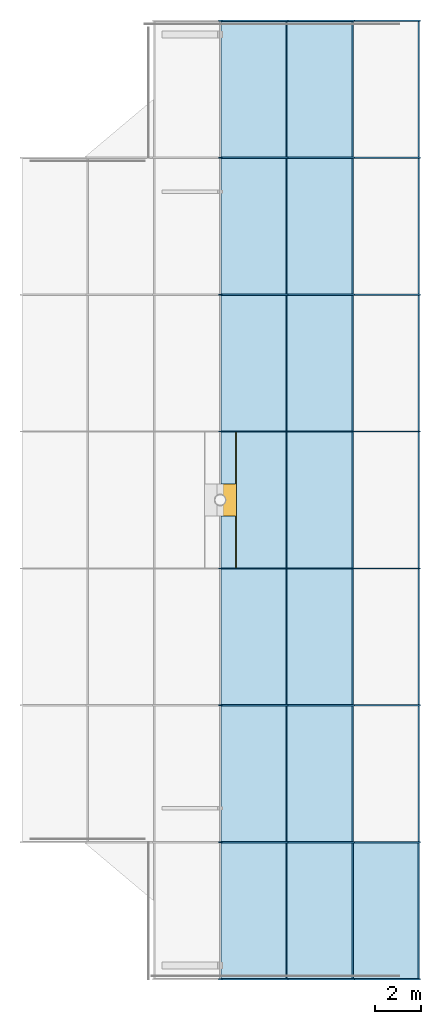
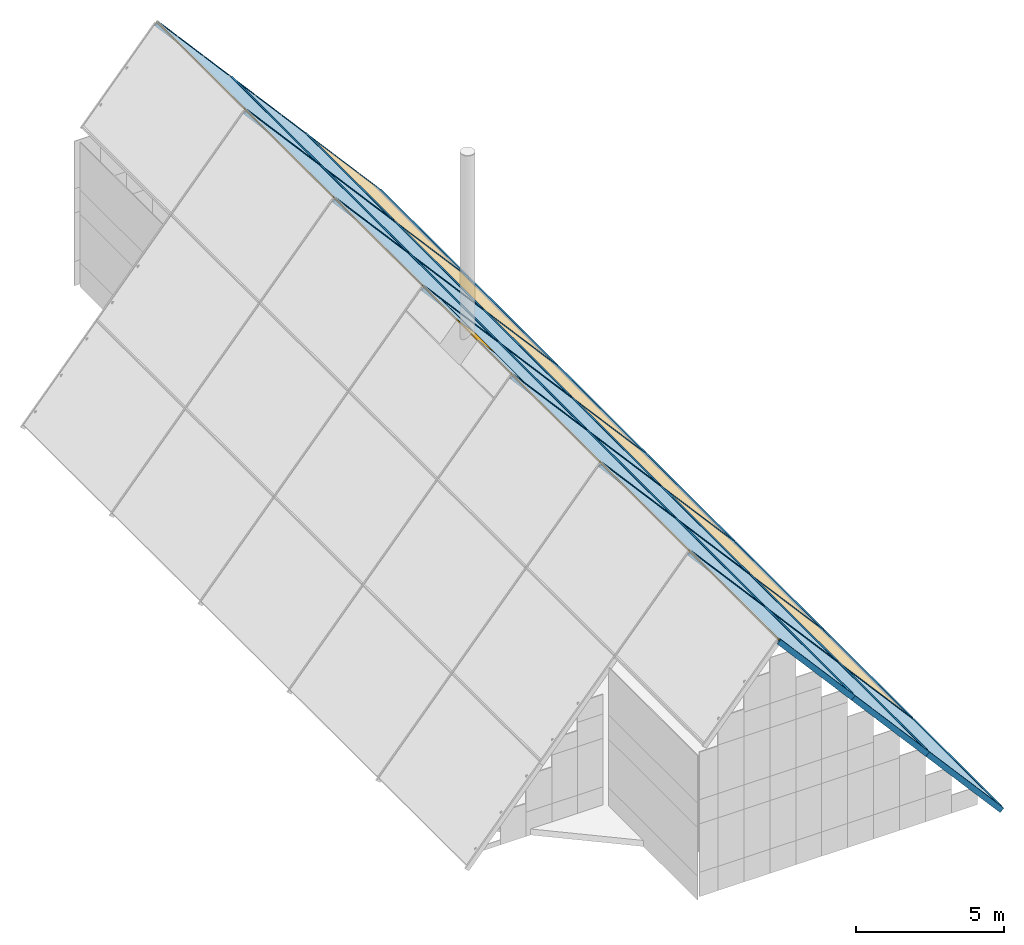
# One storey, part 3 of 5: 45 members, 17 plates, 1 curtain wall.
"""IFC4 building model written with IfcOpenShell, lengths in metres."""

from ifc_helpers import new_model, si_unit, direction, frame, origin, origin_2d, place, context, subcontext, project, spatial, polyline, hollow_rectangle, outline, extrude, source, transform, mapped, material, layer, layer_set, material_profile, profile_set, type_object, element, aggregate, save


model = new_model("IFC4")

# Units and contexts
model_context = context("Model", 3, precision=1e-05, world=origin(), true_north=direction((0.0, 1.0)))
body_context = subcontext(model_context, "Body", "Model", "MODEL_VIEW")
ifc_project = project(units=[si_unit("LENGTHUNIT", "METRE"), si_unit("AREAUNIT", "SQUARE_METRE"), si_unit("VOLUMEUNIT", "CUBIC_METRE"), si_unit("PLANEANGLEUNIT", "RADIAN"), si_unit("MASSUNIT", "GRAM", prefix="KILO")], contexts=[model_context])

# Member
ifc_material_1 = material(Name="Aluminium", Category="aluminium")
ifc_material_profile_1 = material_profile(ifc_material_1, hollow_rectangle(XDim=0.06005859375, YDim=0.1201171875, WallThickness=0.0048828125, at=origin_2d()), Name="Crown roof glazing purlin CR-CW-T")
ifc_profile_set_1 = profile_set([ifc_material_profile_1], Name="Aluminium")
member_type_1 = type_object("IfcMemberType", Name="Crown roof glazing purlin CR-CW-T", PredefinedType="USERDEFINED", material=ifc_profile_set_1)
shared_shape_1 = source(origin(), body_context, "Body", "SweptSolid", [
    extrude(hollow_rectangle(XDim=0.06005859375, YDim=0.1201171875, WallThickness=0.0048828125, at=origin_2d()), origin(), (0.0, 0.0, 1.0), 5.93994140625),
])
site_placement = place(None, origin())
building_placement = place(site_placement, origin())
storey_placement = place(building_placement, frame((0.0, 0.0, 357.199951171875)))
member_1_placement = place(storey_placement, frame((18.199951171875, 6.030029296875, 6.318603515625), z_axis=(0.0, 1.0, 0.0), x_axis=(-1.0, 0.0, 0.0)))
member_1 = element("IfcMember", 1, at=member_1_placement, type_object=member_type_1, Name="Crown glazing purlin", ObjectType="TRANSOM", PredefinedType="USERDEFINED", context=body_context, shape_type="MappedRepresentation", body=[
    mapped(shared_shape_1, transform((0.0, 0.0, 0.0))),
])

member_2_placement = place(storey_placement, frame((18.199951171875, 12.030029296875, 6.318603515625), z_axis=(0.0, 1.0, 0.0), x_axis=(-1.0, 0.0, 0.0)))
member_2 = element("IfcMember", 2, at=member_2_placement, type_object=member_type_1, Name="Crown glazing purlin", ObjectType="TRANSOM", PredefinedType="USERDEFINED", context=body_context, shape_type="MappedRepresentation", body=[
    mapped(shared_shape_1, transform((0.0, 0.0, 0.0))),
])

member_3_placement = place(storey_placement, frame((18.199951171875, 18.030029296875, 6.318603515625), z_axis=(0.0, 1.0, 0.0), x_axis=(-1.0, 0.0, 0.0)))
member_3 = element("IfcMember", 3, at=member_3_placement, type_object=member_type_1, Name="Crown glazing purlin", ObjectType="TRANSOM", PredefinedType="USERDEFINED", context=body_context, shape_type="MappedRepresentation", body=[
    mapped(shared_shape_1, transform((0.0, 0.0, 0.0))),
])

member_4_placement = place(storey_placement, frame((18.199951171875, 24.030029296875, 6.318603515625), z_axis=(0.0, 1.0, 0.0), x_axis=(-1.0, 0.0, 0.0)))
member_4 = element("IfcMember", 4, at=member_4_placement, type_object=member_type_1, Name="Crown glazing purlin", ObjectType="TRANSOM", PredefinedType="USERDEFINED", context=body_context, shape_type="MappedRepresentation", body=[
    mapped(shared_shape_1, transform((0.0, 0.0, 0.0))),
])

member_5_placement = place(storey_placement, frame((18.199951171875, 30.030029296875, 6.318603515625), z_axis=(0.0, 1.0, 0.0), x_axis=(-1.0, 0.0, 0.0)))
member_5 = element("IfcMember", 5, at=member_5_placement, type_object=member_type_1, Name="Crown glazing purlin", ObjectType="TRANSOM", PredefinedType="USERDEFINED", context=body_context, shape_type="MappedRepresentation", body=[
    mapped(shared_shape_1, transform((0.0, 0.0, 0.0))),
])

member_6_placement = place(storey_placement, frame((18.199951171875, 36.030029296875, 6.318603515625), z_axis=(0.0, 1.0, 0.0), x_axis=(-1.0, 0.0, 0.0)))
member_6 = element("IfcMember", 6, at=member_6_placement, type_object=member_type_1, Name="Crown glazing purlin", ObjectType="TRANSOM", PredefinedType="USERDEFINED", context=body_context, shape_type="MappedRepresentation", body=[
    mapped(shared_shape_1, transform((0.0, 0.0, 0.0))),
])

member_7_placement = place(storey_placement, frame((18.199951171875, 42.030029296875, 6.318603515625), z_axis=(0.0, 1.0, 0.0), x_axis=(-1.0, 0.0, 0.0)))
member_7 = element("IfcMember", 7, at=member_7_placement, type_object=member_type_1, Name="Crown glazing purlin", ObjectType="TRANSOM", PredefinedType="USERDEFINED", context=body_context, shape_type="MappedRepresentation", body=[
    mapped(shared_shape_1, transform((0.0, 0.0, 0.0))),
])

member_8_placement = place(storey_placement, frame((21.10009765625, 6.030029296875, 2.985107421875), z_axis=(0.0, 1.0, 0.0), x_axis=(-1.0, 0.0, 0.0)))
member_8 = element("IfcMember", 8, at=member_8_placement, type_object=member_type_1, Name="Crown glazing purlin", ObjectType="TRANSOM", PredefinedType="USERDEFINED", context=body_context, shape_type="MappedRepresentation", body=[
    mapped(shared_shape_1, transform((0.0, 0.0, 0.0))),
])

member_9_placement = place(storey_placement, frame((21.10009765625, 12.030029296875, 2.985107421875), z_axis=(0.0, 1.0, 0.0), x_axis=(-1.0, 0.0, 0.0)))
member_9 = element("IfcMember", 9, at=member_9_placement, type_object=member_type_1, Name="Crown glazing purlin", ObjectType="TRANSOM", PredefinedType="USERDEFINED", context=body_context, shape_type="MappedRepresentation", body=[
    mapped(shared_shape_1, transform((0.0, 0.0, 0.0))),
])

member_10_placement = place(storey_placement, frame((21.10009765625, 18.030029296875, 2.985107421875), z_axis=(0.0, 1.0, 0.0), x_axis=(-1.0, 0.0, 0.0)))
member_10 = element("IfcMember", 10, at=member_10_placement, type_object=member_type_1, Name="Crown glazing purlin", ObjectType="TRANSOM", PredefinedType="USERDEFINED", context=body_context, shape_type="MappedRepresentation", body=[
    mapped(shared_shape_1, transform((0.0, 0.0, 0.0))),
])

member_11_placement = place(storey_placement, frame((21.10009765625, 24.030029296875, 2.985107421875), z_axis=(0.0, 1.0, 0.0), x_axis=(-1.0, 0.0, 0.0)))
member_11 = element("IfcMember", 11, at=member_11_placement, type_object=member_type_1, Name="Crown glazing purlin", ObjectType="TRANSOM", PredefinedType="USERDEFINED", context=body_context, shape_type="MappedRepresentation", body=[
    mapped(shared_shape_1, transform((0.0, 0.0, 0.0))),
])

member_12_placement = place(storey_placement, frame((21.10009765625, 30.030029296875, 2.985107421875), z_axis=(0.0, 1.0, 0.0), x_axis=(-1.0, 0.0, 0.0)))
member_12 = element("IfcMember", 12, at=member_12_placement, type_object=member_type_1, Name="Crown glazing purlin", ObjectType="TRANSOM", PredefinedType="USERDEFINED", context=body_context, shape_type="MappedRepresentation", body=[
    mapped(shared_shape_1, transform((0.0, 0.0, 0.0))),
])

member_13_placement = place(storey_placement, frame((21.10009765625, 36.030029296875, 2.985107421875), z_axis=(0.0, 1.0, 0.0), x_axis=(-1.0, 0.0, 0.0)))
member_13 = element("IfcMember", 13, at=member_13_placement, type_object=member_type_1, Name="Crown glazing purlin", ObjectType="TRANSOM", PredefinedType="USERDEFINED", context=body_context, shape_type="MappedRepresentation", body=[
    mapped(shared_shape_1, transform((0.0, 0.0, 0.0))),
])

member_14_placement = place(storey_placement, frame((21.10009765625, 42.030029296875, 2.985107421875), z_axis=(0.0, 1.0, 0.0), x_axis=(-1.0, 0.0, 0.0)))
member_14 = element("IfcMember", 14, at=member_14_placement, type_object=member_type_1, Name="Crown glazing purlin", ObjectType="TRANSOM", PredefinedType="USERDEFINED", context=body_context, shape_type="MappedRepresentation", body=[
    mapped(shared_shape_1, transform((0.0, 0.0, 0.0))),
])

member_15_placement = place(storey_placement, frame((24.0, 6.030029296875, -0.34814453125), z_axis=(0.0, 1.0, 0.0), x_axis=(-1.0, 0.0, 0.0)))
member_15 = element("IfcMember", 15, at=member_15_placement, type_object=member_type_1, Name="Crown glazing purlin", ObjectType="TRANSOM", PredefinedType="USERDEFINED", context=body_context, shape_type="MappedRepresentation", body=[
    mapped(shared_shape_1, transform((0.0, 0.0, 0.0))),
])

member_16_placement = place(storey_placement, frame((24.0, 12.030029296875, -0.34814453125), z_axis=(0.0, 1.0, 0.0), x_axis=(-1.0, 0.0, 0.0)))
member_16 = element("IfcMember", 16, at=member_16_placement, type_object=member_type_1, Name="Crown glazing purlin", ObjectType="TRANSOM", PredefinedType="USERDEFINED", context=body_context, shape_type="MappedRepresentation", body=[
    mapped(shared_shape_1, transform((0.0, 0.0, 0.0))),
])

member_17_placement = place(storey_placement, frame((24.0, 18.030029296875, -0.34814453125), z_axis=(0.0, 1.0, 0.0), x_axis=(-1.0, 0.0, 0.0)))
member_17 = element("IfcMember", 17, at=member_17_placement, type_object=member_type_1, Name="Crown glazing purlin", ObjectType="TRANSOM", PredefinedType="USERDEFINED", context=body_context, shape_type="MappedRepresentation", body=[
    mapped(shared_shape_1, transform((0.0, 0.0, 0.0))),
])

member_18_placement = place(storey_placement, frame((24.0, 24.030029296875, -0.34814453125), z_axis=(0.0, 1.0, 0.0), x_axis=(-1.0, 0.0, 0.0)))
member_18 = element("IfcMember", 18, at=member_18_placement, type_object=member_type_1, Name="Crown glazing purlin", ObjectType="TRANSOM", PredefinedType="USERDEFINED", context=body_context, shape_type="MappedRepresentation", body=[
    mapped(shared_shape_1, transform((0.0, 0.0, 0.0))),
])

member_19_placement = place(storey_placement, frame((24.0, 30.030029296875, -0.34814453125), z_axis=(0.0, 1.0, 0.0), x_axis=(-1.0, 0.0, 0.0)))
member_19 = element("IfcMember", 19, at=member_19_placement, type_object=member_type_1, Name="Crown glazing purlin", ObjectType="TRANSOM", PredefinedType="USERDEFINED", context=body_context, shape_type="MappedRepresentation", body=[
    mapped(shared_shape_1, transform((0.0, 0.0, 0.0))),
])

member_20_placement = place(storey_placement, frame((24.0, 36.030029296875, -0.34814453125), z_axis=(0.0, 1.0, 0.0), x_axis=(-1.0, 0.0, 0.0)))
member_20 = element("IfcMember", 20, at=member_20_placement, type_object=member_type_1, Name="Crown glazing purlin", ObjectType="TRANSOM", PredefinedType="USERDEFINED", context=body_context, shape_type="MappedRepresentation", body=[
    mapped(shared_shape_1, transform((0.0, 0.0, 0.0))),
])

member_21_placement = place(storey_placement, frame((24.0, 42.030029296875, -0.34814453125), z_axis=(0.0, 1.0, 0.0), x_axis=(-1.0, 0.0, 0.0)))
member_21 = element("IfcMember", 21, at=member_21_placement, type_object=member_type_1, Name="Crown glazing purlin", ObjectType="TRANSOM", PredefinedType="USERDEFINED", context=body_context, shape_type="MappedRepresentation", body=[
    mapped(shared_shape_1, transform((0.0, 0.0, 0.0))),
])

ifc_material_2 = material(Name="Aluminium", Category="aluminium")
ifc_material_profile_2 = material_profile(ifc_material_2, hollow_rectangle(XDim=0.06005859375, YDim=0.199951171875, WallThickness=0.0048828125, at=origin_2d()), Name="Crown roof glazing rafter CR-CW-M")
ifc_profile_set_2 = profile_set([ifc_material_profile_2], Name="Aluminium")
member_type_2 = type_object("IfcMemberType", Name="Crown roof glazing rafter CR-CW-M", PredefinedType="MULLION", material=ifc_profile_set_2)
shared_shape_2 = source(origin(), body_context, "Body", "SweptSolid", [
    extrude(hollow_rectangle(XDim=0.06005859375, YDim=0.199951171875, WallThickness=0.0048828125, at=origin_2d()), origin(), (0.0, 0.0, 1.0), 4.418212890625),
])
member_22_placement = place(storey_placement, frame((15.300048828125, 6.0, 9.5595703125), z_axis=(0.656334655798, 0.0, -0.754469893102), x_axis=(0.0, 1.0, 0.0)))
member_22 = element("IfcMember", 22, at=member_22_placement, type_object=member_type_2, Name="Crown glazing rafter", PredefinedType="MULLION", context=body_context, shape_type="MappedRepresentation", body=[
    mapped(shared_shape_2, transform((0.0, 0.0, 0.0))),
])

member_23_placement = place(storey_placement, frame((15.300048828125, 12.0, 9.5595703125), z_axis=(0.656334655798, 0.0, -0.754469893102), x_axis=(0.0, 1.0, 0.0)))
member_23 = element("IfcMember", 23, at=member_23_placement, type_object=member_type_2, Name="Crown glazing rafter", PredefinedType="MULLION", context=body_context, shape_type="MappedRepresentation", body=[
    mapped(shared_shape_2, transform((0.0, 0.0, 0.0))),
])

member_24_placement = place(storey_placement, frame((15.300048828125, 18.0, 9.5595703125), z_axis=(0.656334655798, 0.0, -0.754469893102), x_axis=(0.0, 1.0, 0.0)))
member_24 = element("IfcMember", 24, at=member_24_placement, type_object=member_type_2, Name="Crown glazing rafter", PredefinedType="MULLION", context=body_context, shape_type="MappedRepresentation", body=[
    mapped(shared_shape_2, transform((0.0, 0.0, 0.0))),
])

member_25_placement = place(storey_placement, frame((15.300048828125, 24.0, 9.5595703125), z_axis=(0.656334655798, 0.0, -0.754469893102), x_axis=(0.0, 1.0, 0.0)))
member_25 = element("IfcMember", 25, at=member_25_placement, type_object=member_type_2, Name="Crown glazing rafter", PredefinedType="MULLION", context=body_context, shape_type="MappedRepresentation", body=[
    mapped(shared_shape_2, transform((0.0, 0.0, 0.0))),
])

member_26_placement = place(storey_placement, frame((15.300048828125, 30.0, 9.5595703125), z_axis=(0.656334655798, 0.0, -0.754469893102), x_axis=(0.0, 1.0, 0.0)))
member_26 = element("IfcMember", 26, at=member_26_placement, type_object=member_type_2, Name="Crown glazing rafter", PredefinedType="MULLION", context=body_context, shape_type="MappedRepresentation", body=[
    mapped(shared_shape_2, transform((0.0, 0.0, 0.0))),
])

member_27_placement = place(storey_placement, frame((15.300048828125, 36.0, 9.5595703125), z_axis=(0.656334655798, 0.0, -0.754469893102), x_axis=(0.0, 1.0, 0.0)))
member_27 = element("IfcMember", 27, at=member_27_placement, type_object=member_type_2, Name="Crown glazing rafter", PredefinedType="MULLION", context=body_context, shape_type="MappedRepresentation", body=[
    mapped(shared_shape_2, transform((0.0, 0.0, 0.0))),
])

member_28_placement = place(storey_placement, frame((15.300048828125, 42.0, 9.5595703125), z_axis=(0.656334655798, 0.0, -0.754469893102), x_axis=(0.0, 1.0, 0.0)))
member_28 = element("IfcMember", 28, at=member_28_placement, type_object=member_type_2, Name="Crown glazing rafter", PredefinedType="MULLION", context=body_context, shape_type="MappedRepresentation", body=[
    mapped(shared_shape_2, transform((0.0, 0.0, 0.0))),
])

member_29_placement = place(storey_placement, frame((15.300048828125, 48.0, 9.5595703125), z_axis=(0.656334655798, 0.0, -0.754469893102), x_axis=(0.0, 1.0, 0.0)))
member_29 = element("IfcMember", 29, at=member_29_placement, type_object=member_type_2, Name="Crown glazing rafter", PredefinedType="MULLION", context=body_context, shape_type="MappedRepresentation", body=[
    mapped(shared_shape_2, transform((0.0, 0.0, 0.0))),
])

member_30_placement = place(storey_placement, frame((18.199951171875, 6.0, 6.22607421875), z_axis=(0.656393469486, 0.0, -0.754418725388), x_axis=(0.0, 1.0, 0.0)))
member_30 = element("IfcMember", 30, at=member_30_placement, type_object=member_type_2, Name="Crown glazing rafter", PredefinedType="MULLION", context=body_context, shape_type="MappedRepresentation", body=[
    mapped(shared_shape_2, transform((0.0, 0.0, 0.0))),
])

member_31_placement = place(storey_placement, frame((18.199951171875, 12.0, 6.22607421875), z_axis=(0.656393469486, 0.0, -0.754418725388), x_axis=(0.0, 1.0, 0.0)))
member_31 = element("IfcMember", 31, at=member_31_placement, type_object=member_type_2, Name="Crown glazing rafter", PredefinedType="MULLION", context=body_context, shape_type="MappedRepresentation", body=[
    mapped(shared_shape_2, transform((0.0, 0.0, 0.0))),
])

member_32_placement = place(storey_placement, frame((18.199951171875, 18.0, 6.22607421875), z_axis=(0.656393469486, 0.0, -0.754418725388), x_axis=(0.0, 1.0, 0.0)))
member_32 = element("IfcMember", 32, at=member_32_placement, type_object=member_type_2, Name="Crown glazing rafter", PredefinedType="MULLION", context=body_context, shape_type="MappedRepresentation", body=[
    mapped(shared_shape_2, transform((0.0, 0.0, 0.0))),
])

member_33_placement = place(storey_placement, frame((18.199951171875, 24.0, 6.22607421875), z_axis=(0.656393469486, 0.0, -0.754418725388), x_axis=(0.0, 1.0, 0.0)))
member_33 = element("IfcMember", 33, at=member_33_placement, type_object=member_type_2, Name="Crown glazing rafter", PredefinedType="MULLION", context=body_context, shape_type="MappedRepresentation", body=[
    mapped(shared_shape_2, transform((0.0, 0.0, 0.0))),
])

member_34_placement = place(storey_placement, frame((18.199951171875, 30.0, 6.22607421875), z_axis=(0.656393469486, 0.0, -0.754418725388), x_axis=(0.0, 1.0, 0.0)))
member_34 = element("IfcMember", 34, at=member_34_placement, type_object=member_type_2, Name="Crown glazing rafter", PredefinedType="MULLION", context=body_context, shape_type="MappedRepresentation", body=[
    mapped(shared_shape_2, transform((0.0, 0.0, 0.0))),
])

member_35_placement = place(storey_placement, frame((18.199951171875, 36.0, 6.22607421875), z_axis=(0.656393469486, 0.0, -0.754418725388), x_axis=(0.0, 1.0, 0.0)))
member_35 = element("IfcMember", 35, at=member_35_placement, type_object=member_type_2, Name="Crown glazing rafter", PredefinedType="MULLION", context=body_context, shape_type="MappedRepresentation", body=[
    mapped(shared_shape_2, transform((0.0, 0.0, 0.0))),
])

member_36_placement = place(storey_placement, frame((18.199951171875, 42.0, 6.22607421875), z_axis=(0.656393469486, 0.0, -0.754418725388), x_axis=(0.0, 1.0, 0.0)))
member_36 = element("IfcMember", 36, at=member_36_placement, type_object=member_type_2, Name="Crown glazing rafter", PredefinedType="MULLION", context=body_context, shape_type="MappedRepresentation", body=[
    mapped(shared_shape_2, transform((0.0, 0.0, 0.0))),
])

member_37_placement = place(storey_placement, frame((18.199951171875, 48.0, 6.22607421875), z_axis=(0.656393469486, 0.0, -0.754418725388), x_axis=(0.0, 1.0, 0.0)))
member_37 = element("IfcMember", 37, at=member_37_placement, type_object=member_type_2, Name="Crown glazing rafter", PredefinedType="MULLION", context=body_context, shape_type="MappedRepresentation", body=[
    mapped(shared_shape_2, transform((0.0, 0.0, 0.0))),
])

member_38_placement = place(storey_placement, frame((21.10009765625, 6.0, 2.892822265625), z_axis=(0.656362018597, 0.0, -0.75444608856), x_axis=(0.0, 1.0, 0.0)))
member_38 = element("IfcMember", 38, at=member_38_placement, type_object=member_type_2, Name="Crown glazing rafter", PredefinedType="MULLION", context=body_context, shape_type="MappedRepresentation", body=[
    mapped(shared_shape_2, transform((0.0, 0.0, 0.0))),
])

member_39_placement = place(storey_placement, frame((21.10009765625, 12.0, 2.892822265625), z_axis=(0.656362018597, 0.0, -0.75444608856), x_axis=(0.0, 1.0, 0.0)))
member_39 = element("IfcMember", 39, at=member_39_placement, type_object=member_type_2, Name="Crown glazing rafter", PredefinedType="MULLION", context=body_context, shape_type="MappedRepresentation", body=[
    mapped(shared_shape_2, transform((0.0, 0.0, 0.0))),
])

member_40_placement = place(storey_placement, frame((21.10009765625, 18.0, 2.892822265625), z_axis=(0.656362018597, 0.0, -0.75444608856), x_axis=(0.0, 1.0, 0.0)))
member_40 = element("IfcMember", 40, at=member_40_placement, type_object=member_type_2, Name="Crown glazing rafter", PredefinedType="MULLION", context=body_context, shape_type="MappedRepresentation", body=[
    mapped(shared_shape_2, transform((0.0, 0.0, 0.0))),
])

member_41_placement = place(storey_placement, frame((21.10009765625, 24.0, 2.892822265625), z_axis=(0.656362018597, 0.0, -0.75444608856), x_axis=(0.0, 1.0, 0.0)))
member_41 = element("IfcMember", 41, at=member_41_placement, type_object=member_type_2, Name="Crown glazing rafter", PredefinedType="MULLION", context=body_context, shape_type="MappedRepresentation", body=[
    mapped(shared_shape_2, transform((0.0, 0.0, 0.0))),
])

member_42_placement = place(storey_placement, frame((21.10009765625, 30.0, 2.892822265625), z_axis=(0.656362018597, 0.0, -0.75444608856), x_axis=(0.0, 1.0, 0.0)))
member_42 = element("IfcMember", 42, at=member_42_placement, type_object=member_type_2, Name="Crown glazing rafter", PredefinedType="MULLION", context=body_context, shape_type="MappedRepresentation", body=[
    mapped(shared_shape_2, transform((0.0, 0.0, 0.0))),
])

member_43_placement = place(storey_placement, frame((21.10009765625, 36.0, 2.892822265625), z_axis=(0.656362018597, 0.0, -0.75444608856), x_axis=(0.0, 1.0, 0.0)))
member_43 = element("IfcMember", 43, at=member_43_placement, type_object=member_type_2, Name="Crown glazing rafter", PredefinedType="MULLION", context=body_context, shape_type="MappedRepresentation", body=[
    mapped(shared_shape_2, transform((0.0, 0.0, 0.0))),
])

member_44_placement = place(storey_placement, frame((21.10009765625, 42.0, 2.892822265625), z_axis=(0.656362018597, 0.0, -0.75444608856), x_axis=(0.0, 1.0, 0.0)))
member_44 = element("IfcMember", 44, at=member_44_placement, type_object=member_type_2, Name="Crown glazing rafter", PredefinedType="MULLION", context=body_context, shape_type="MappedRepresentation", body=[
    mapped(shared_shape_2, transform((0.0, 0.0, 0.0))),
])

member_45_placement = place(storey_placement, frame((21.10009765625, 48.0, 2.892822265625), z_axis=(0.656362018597, 0.0, -0.75444608856), x_axis=(0.0, 1.0, 0.0)))
member_45 = element("IfcMember", 45, at=member_45_placement, type_object=member_type_2, Name="Crown glazing rafter", PredefinedType="MULLION", context=body_context, shape_type="MappedRepresentation", body=[
    mapped(shared_shape_2, transform((0.0, 0.0, 0.0))),
])

# Plate
ifc_material_3 = material(Name="Laminated heat-strengthened glass", Category="glass")
ifc_layer = layer(ifc_material_3, 0.031982421875)
ifc_layer_set = layer_set([ifc_layer], Name="Laminated heat-strengthened glass")
plate_type = type_object("IfcPlateType", Name="Crown roof glazing panel CR-CW-P", PredefinedType="CURTAIN_PANEL", material=ifc_layer_set)
plate_1_placement = place(storey_placement, frame((15.330078125, 6.030029296875, 9.63525390625), z_axis=(0.0, 0.0, 1.0), x_axis=(1.0, 0.0, 0.0)))
plate_1 = element("IfcPlate", 46, at=plate_1_placement, type_object=plate_type, Name="Crown roof glazing panel", PredefinedType="CURTAIN_PANEL", context=body_context, shape_type="SweptSolid", body=[
    extrude(outline(polyline([(0.0, 0.0), (2.83984375, -3.264404296875), (2.83984375, -3.313232421875), (0.0, -0.048828125), (0.0, 0.0)])), frame((0.0, 5.93994140625, 0.0), z_axis=(0.0, -1.0, 0.0), x_axis=(1.0, 0.0, 0.0)), (0.0, 0.0, 1.0), 5.93994140625),
])

plate_2_placement = place(storey_placement, frame((15.330078125, 12.030029296875, 9.63525390625), z_axis=(0.0, 0.0, 1.0), x_axis=(1.0, 0.0, 0.0)))
plate_2 = element("IfcPlate", 47, at=plate_2_placement, type_object=plate_type, Name="Crown roof glazing panel", PredefinedType="CURTAIN_PANEL", context=body_context, shape_type="SweptSolid", body=[
    extrude(outline(polyline([(0.0, 0.0), (2.83984375, -3.264404296875), (2.83984375, -3.313232421875), (0.0, -0.048828125), (0.0, 0.0)])), frame((0.0, 5.93994140625, 0.0), z_axis=(0.0, -1.0, 0.0), x_axis=(1.0, 0.0, 0.0)), (0.0, 0.0, 1.0), 5.93994140625),
])

plate_3_placement = place(storey_placement, frame((15.330078125, 18.030029296875, 9.63525390625), z_axis=(0.0, 0.0, 1.0), x_axis=(1.0, 0.0, 0.0)))
plate_3 = element("IfcPlate", 48, at=plate_3_placement, type_object=plate_type, Name="Crown roof glazing panel", PredefinedType="CURTAIN_PANEL", context=body_context, shape_type="SweptSolid", body=[
    extrude(outline(polyline([(0.0, 0.0), (2.83984375, -3.264404296875), (2.83984375, -3.313232421875), (0.0, -0.048828125), (0.0, 0.0)])), frame((0.0, 5.93994140625, 0.0), z_axis=(0.0, -1.0, 0.0), x_axis=(1.0, 0.0, 0.0)), (0.0, 0.0, 1.0), 5.93994140625),
])

plate_4_placement = place(storey_placement, frame((16.0, 24.030029296875, 8.865234375), z_axis=(0.0, 0.0, 1.0), x_axis=(1.0, 0.0, 0.0)))
plate_4 = element("IfcPlate", 49, at=plate_4_placement, type_object=plate_type, Name="Crown roof glazing panel", PredefinedType="CURTAIN_PANEL", context=body_context, shape_type="SweptSolid", body=[
    extrude(outline(polyline([(0.0, 0.0), (2.169921875, -2.494384765625), (2.169921875, -2.543212890625), (0.0, -0.048828125), (0.0, 0.0)])), frame((0.0, 5.93994140625, 0.0), z_axis=(0.0, -1.0, 0.0), x_axis=(1.0, 0.0, 0.0)), (0.0, 0.0, 1.0), 5.93994140625),
])

plate_5_placement = place(storey_placement, frame((15.330078125, 24.030029296875, 9.63525390625), z_axis=(0.0, 0.0, 1.0), x_axis=(1.0, 0.0, 0.0)))
plate_5 = element("IfcPlate", 50, at=plate_5_placement, type_object=plate_type, Name="Crown roof glazing panel", PredefinedType="CURTAIN_PANEL", context=body_context, shape_type="SweptSolid", body=[
    extrude(outline(polyline([(0.0, 0.0), (0.639892578125, -0.735595703125), (0.639892578125, -0.784423828125), (0.0, -0.048828125), (0.0, 0.0)])), frame((0.0, 2.27001953125, 0.0), z_axis=(0.0, -1.0, 0.0), x_axis=(1.0, 0.0, 0.0)), (0.0, 0.0, 1.0), 2.27001953125),
])

plate_6_placement = place(storey_placement, frame((15.330078125, 27.699951171875, 9.63525390625), z_axis=(0.0, 0.0, 1.0), x_axis=(1.0, 0.0, 0.0)))
plate_6 = element("IfcPlate", 51, at=plate_6_placement, type_object=plate_type, Name="Crown roof glazing panel", PredefinedType="CURTAIN_PANEL", context=body_context, shape_type="SweptSolid", body=[
    extrude(outline(polyline([(0.0, 0.0), (0.639892578125, -0.735595703125), (0.639892578125, -0.784423828125), (0.0, -0.048828125), (0.0, 0.0)])), frame((0.0, 2.27001953125, 0.0), z_axis=(0.0, -1.0, 0.0), x_axis=(1.0, 0.0, 0.0)), (0.0, 0.0, 1.0), 2.27001953125),
])

plate_7_placement = place(storey_placement, frame((15.330078125, 30.030029296875, 9.63525390625), z_axis=(0.0, 0.0, 1.0), x_axis=(1.0, 0.0, 0.0)))
plate_7 = element("IfcPlate", 52, at=plate_7_placement, type_object=plate_type, Name="Crown roof glazing panel", PredefinedType="CURTAIN_PANEL", context=body_context, shape_type="SweptSolid", body=[
    extrude(outline(polyline([(0.0, 0.0), (2.83984375, -3.264404296875), (2.83984375, -3.313232421875), (0.0, -0.048828125), (0.0, 0.0)])), frame((0.0, 5.93994140625, 0.0), z_axis=(0.0, -1.0, 0.0), x_axis=(1.0, 0.0, 0.0)), (0.0, 0.0, 1.0), 5.93994140625),
])

plate_8_placement = place(storey_placement, frame((15.330078125, 36.030029296875, 9.63525390625), z_axis=(0.0, 0.0, 1.0), x_axis=(1.0, 0.0, 0.0)))
plate_8 = element("IfcPlate", 53, at=plate_8_placement, type_object=plate_type, Name="Crown roof glazing panel", PredefinedType="CURTAIN_PANEL", context=body_context, shape_type="SweptSolid", body=[
    extrude(outline(polyline([(0.0, 0.0), (2.83984375, -3.264404296875), (2.83984375, -3.313232421875), (0.0, -0.048828125), (0.0, 0.0)])), frame((0.0, 5.93994140625, 0.0), z_axis=(0.0, -1.0, 0.0), x_axis=(1.0, 0.0, 0.0)), (0.0, 0.0, 1.0), 5.93994140625),
])

plate_9_placement = place(storey_placement, frame((15.330078125, 42.030029296875, 9.63525390625), z_axis=(0.0, 0.0, 1.0), x_axis=(1.0, 0.0, 0.0)))
plate_9 = element("IfcPlate", 54, at=plate_9_placement, type_object=plate_type, Name="Crown roof glazing panel", PredefinedType="CURTAIN_PANEL", context=body_context, shape_type="SweptSolid", body=[
    extrude(outline(polyline([(0.0, 0.0), (2.83984375, -3.264404296875), (2.83984375, -3.313232421875), (0.0, -0.048828125), (0.0, 0.0)])), frame((0.0, 5.93994140625, 0.0), z_axis=(0.0, -1.0, 0.0), x_axis=(1.0, 0.0, 0.0)), (0.0, 0.0, 1.0), 5.93994140625),
])

plate_10_placement = place(storey_placement, frame((18.22998046875, 6.030029296875, 6.302001953125), z_axis=(0.0, 0.0, 1.0), x_axis=(1.0, 0.0, 0.0)))
plate_10 = element("IfcPlate", 55, at=plate_10_placement, type_object=plate_type, Name="Crown roof glazing panel", PredefinedType="CURTAIN_PANEL", context=body_context, shape_type="SweptSolid", body=[
    extrude(outline(polyline([(0.0, 0.0), (2.840087890625, -3.264404296875), (2.840087890625, -3.313232421875), (0.0, -0.048828125), (0.0, 0.0)])), frame((0.0, 5.93994140625, 0.0), z_axis=(0.0, -1.0, 0.0), x_axis=(1.0, 0.0, 0.0)), (0.0, 0.0, 1.0), 5.93994140625),
])

plate_11_placement = place(storey_placement, frame((18.22998046875, 12.030029296875, 6.302001953125), z_axis=(0.0, 0.0, 1.0), x_axis=(1.0, 0.0, 0.0)))
plate_11 = element("IfcPlate", 56, at=plate_11_placement, type_object=plate_type, Name="Crown roof glazing panel", PredefinedType="CURTAIN_PANEL", context=body_context, shape_type="SweptSolid", body=[
    extrude(outline(polyline([(0.0, 0.0), (2.840087890625, -3.264404296875), (2.840087890625, -3.313232421875), (0.0, -0.048828125), (0.0, 0.0)])), frame((0.0, 5.93994140625, 0.0), z_axis=(0.0, -1.0, 0.0), x_axis=(1.0, 0.0, 0.0)), (0.0, 0.0, 1.0), 5.93994140625),
])

plate_12_placement = place(storey_placement, frame((18.22998046875, 18.030029296875, 6.302001953125), z_axis=(0.0, 0.0, 1.0), x_axis=(1.0, 0.0, 0.0)))
plate_12 = element("IfcPlate", 57, at=plate_12_placement, type_object=plate_type, Name="Crown roof glazing panel", PredefinedType="CURTAIN_PANEL", context=body_context, shape_type="SweptSolid", body=[
    extrude(outline(polyline([(0.0, 0.0), (2.840087890625, -3.264404296875), (2.840087890625, -3.313232421875), (0.0, -0.048828125), (0.0, 0.0)])), frame((0.0, 5.93994140625, 0.0), z_axis=(0.0, -1.0, 0.0), x_axis=(1.0, 0.0, 0.0)), (0.0, 0.0, 1.0), 5.93994140625),
])

plate_13_placement = place(storey_placement, frame((18.22998046875, 24.030029296875, 6.302001953125), z_axis=(0.0, 0.0, 1.0), x_axis=(1.0, 0.0, 0.0)))
plate_13 = element("IfcPlate", 58, at=plate_13_placement, type_object=plate_type, Name="Crown roof glazing panel", PredefinedType="CURTAIN_PANEL", context=body_context, shape_type="SweptSolid", body=[
    extrude(outline(polyline([(0.0, 0.0), (2.840087890625, -3.264404296875), (2.840087890625, -3.313232421875), (0.0, -0.048828125), (0.0, 0.0)])), frame((0.0, 5.93994140625, 0.0), z_axis=(0.0, -1.0, 0.0), x_axis=(1.0, 0.0, 0.0)), (0.0, 0.0, 1.0), 5.93994140625),
])

plate_14_placement = place(storey_placement, frame((18.22998046875, 30.030029296875, 6.302001953125), z_axis=(0.0, 0.0, 1.0), x_axis=(1.0, 0.0, 0.0)))
plate_14 = element("IfcPlate", 59, at=plate_14_placement, type_object=plate_type, Name="Crown roof glazing panel", PredefinedType="CURTAIN_PANEL", context=body_context, shape_type="SweptSolid", body=[
    extrude(outline(polyline([(0.0, 0.0), (2.840087890625, -3.264404296875), (2.840087890625, -3.313232421875), (0.0, -0.048828125), (0.0, 0.0)])), frame((0.0, 5.93994140625, 0.0), z_axis=(0.0, -1.0, 0.0), x_axis=(1.0, 0.0, 0.0)), (0.0, 0.0, 1.0), 5.93994140625),
])

plate_15_placement = place(storey_placement, frame((18.22998046875, 36.030029296875, 6.302001953125), z_axis=(0.0, 0.0, 1.0), x_axis=(1.0, 0.0, 0.0)))
plate_15 = element("IfcPlate", 60, at=plate_15_placement, type_object=plate_type, Name="Crown roof glazing panel", PredefinedType="CURTAIN_PANEL", context=body_context, shape_type="SweptSolid", body=[
    extrude(outline(polyline([(0.0, 0.0), (2.840087890625, -3.264404296875), (2.840087890625, -3.313232421875), (0.0, -0.048828125), (0.0, 0.0)])), frame((0.0, 5.93994140625, 0.0), z_axis=(0.0, -1.0, 0.0), x_axis=(1.0, 0.0, 0.0)), (0.0, 0.0, 1.0), 5.93994140625),
])

plate_16_placement = place(storey_placement, frame((18.22998046875, 42.030029296875, 6.302001953125), z_axis=(0.0, 0.0, 1.0), x_axis=(1.0, 0.0, 0.0)))
plate_16 = element("IfcPlate", 61, at=plate_16_placement, type_object=plate_type, Name="Crown roof glazing panel", PredefinedType="CURTAIN_PANEL", context=body_context, shape_type="SweptSolid", body=[
    extrude(outline(polyline([(0.0, 0.0), (2.840087890625, -3.264404296875), (2.840087890625, -3.313232421875), (0.0, -0.048828125), (0.0, 0.0)])), frame((0.0, 5.93994140625, 0.0), z_axis=(0.0, -1.0, 0.0), x_axis=(1.0, 0.0, 0.0)), (0.0, 0.0, 1.0), 5.93994140625),
])

plate_17_placement = place(storey_placement, frame((21.1298828125, 6.030029296875, 2.96875), z_axis=(0.0, 0.0, 1.0), x_axis=(1.0, 0.0, 0.0)))
plate_17 = element("IfcPlate", 62, at=plate_17_placement, type_object=plate_type, Name="Crown roof glazing panel", PredefinedType="CURTAIN_PANEL", context=body_context, shape_type="SweptSolid", body=[
    extrude(outline(polyline([(0.0, 0.0), (2.840087890625, -3.264404296875), (2.840087890625, -3.313232421875), (0.0, -0.048828125), (0.0, 0.0)])), frame((0.0, 5.93994140625, 0.0), z_axis=(0.0, -1.0, 0.0), x_axis=(1.0, 0.0, 0.0)), (0.0, 0.0, 1.0), 5.93994140625),
])

# Site, building, storey
site = spatial("IfcSite", under=ifc_project, at=site_placement, CompositionType="ELEMENT")
building = spatial("IfcBuilding", under=site, at=building_placement, Name="Khomas Fold Tower", CompositionType="ELEMENT")
storey = spatial("IfcBuildingStorey", under=building, at=storey_placement, Name="ROOF", CompositionType="ELEMENT", Elevation=357.199951171875)

# Curtain wall
ifc_material_4 = material(Name="Aluminium framed double glazing", Category="aluminium")
curtain_wall_type = type_object("IfcCurtainWallType", Name="Crown roof glazing CR-CW", PredefinedType="NOTDEFINED", material=ifc_material_4)
curtain_wall_placement = place(storey_placement, frame((15.300048828125, 24.0, 9.664794921875), z_axis=(0.754442889196, 0.0, 0.656365696042), x_axis=(0.0, 1.0, 0.0)))
curtain_wall = element("IfcCurtainWall", 63, at=curtain_wall_placement, inside=storey, type_object=curtain_wall_type, Name="Crown roof glazing GE ROOF", PredefinedType="NOTDEFINED", context=body_context, shape_type="SweptSolid", body=[
    extrude(outline(polyline([(0.0, 0.0), (6.0, 0.0), (12.0, 0.0), (18.0, 0.0), (24.0, 0.0), (24.0, -4.418144654245103), (24.0, -8.836633744179963), (24.0, -12.76746637378027), (-18.0, -12.76746637378027), (-18.0, -8.836633744179963), (-18.0, -4.418144654245103), (-18.0, 0.0), (-12.0, 0.0), (-6.0, 0.0), (0.0, 0.0)])), origin(), (0.0, 0.0, -1.0), 0.031982421875),
])

aggregate(curtain_wall, [member_22, member_23, member_24, member_25, member_26, member_27, member_28, member_29, member_30, member_31, member_32, member_33, member_34, member_35, member_36, member_37, member_38, member_39, member_40, member_41, member_42, member_43, member_44, member_45, member_1, member_2, member_3, member_4, member_5, member_6, member_7, member_8, member_9, member_10, member_11, member_12, member_13, member_14, member_15, member_16, member_17, member_18, member_19, member_20, member_21, plate_1, plate_2, plate_3, plate_4, plate_5, plate_6, plate_7, plate_8, plate_9, plate_10, plate_11, plate_12, plate_13, plate_14, plate_15, plate_16, plate_17])

save(model, "model.ifc")
